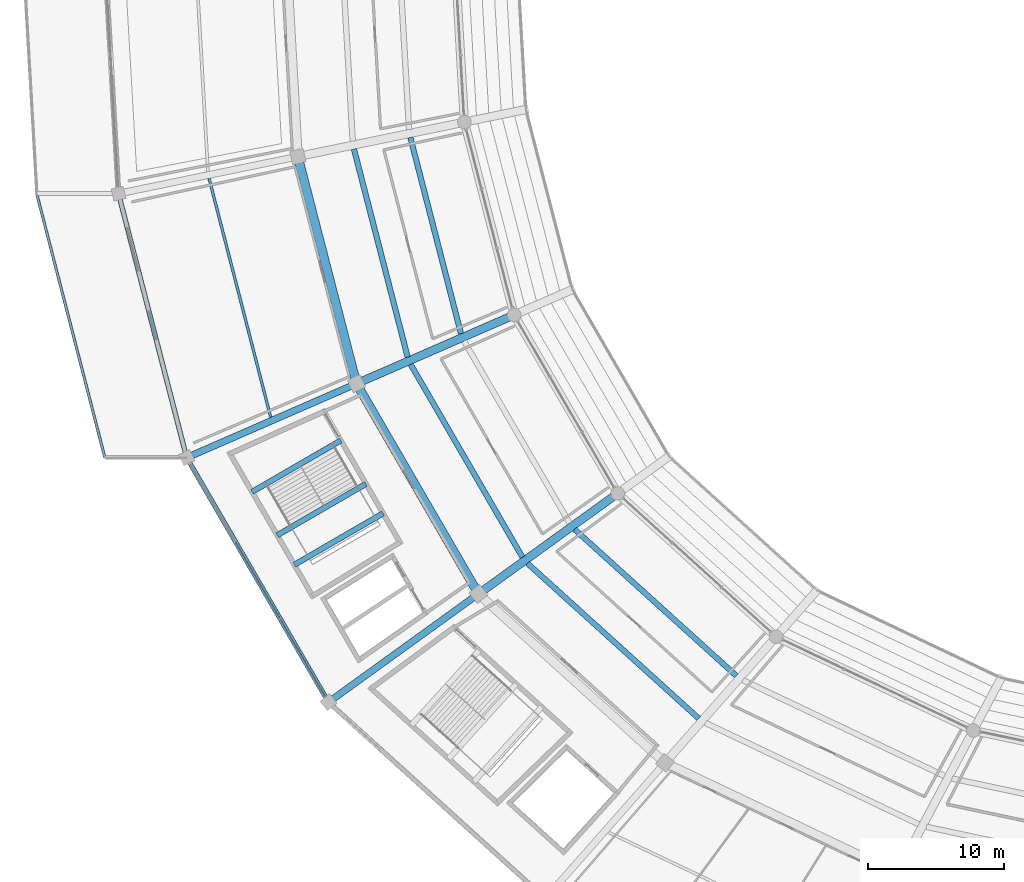
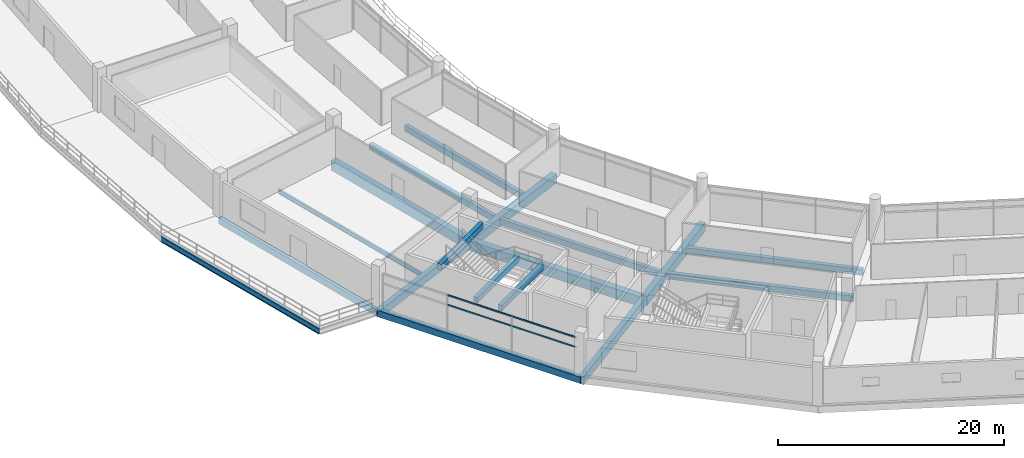
# One storey, part 8 of 171: 18 beams, 4 members, 1 element without a shape of its own.
"""IFC4 building model written with IfcOpenShell, lengths in metres."""

from ifc_helpers import new_model, si_unit, direction, frame, origin, origin_2d, place, context, subcontext, project, spatial, rectangle, hollow_rectangle, i_section, extrude, material, layer, layer_set, material_profile, profile_set, type_object, element, aggregate, save


model = new_model("IFC4")

# Units and contexts
model_context = context("Model", 3, precision=1e-05, world=origin(), true_north=direction((0.0, 1.0)))
body_context = subcontext(model_context, "Body", "Model", "MODEL_VIEW")
ifc_project = project(units=[si_unit("LENGTHUNIT", "METRE"), si_unit("AREAUNIT", "SQUARE_METRE"), si_unit("VOLUMEUNIT", "CUBIC_METRE"), si_unit("PLANEANGLEUNIT", "RADIAN"), si_unit("MASSUNIT", "GRAM", prefix="KILO")], contexts=[model_context])

# Site, building, storey
site_placement = place(None, origin())
site = spatial("IfcSite", under=ifc_project, at=site_placement, CompositionType="ELEMENT")
building_placement = place(site_placement, origin())
building = spatial("IfcBuilding", under=site, at=building_placement, Name="Kazemori Nagisa Stadium", CompositionType="ELEMENT")
storey_placement = place(building_placement, frame((0.0, 0.0, 15.639892578125)))
storey = spatial("IfcBuildingStorey", under=building, at=storey_placement, Name="L03", CompositionType="ELEMENT", Elevation=15.639892578125)

# Beams
ifc_material_1 = material(Name="Concrete C40/50 (Fc42)", Category="concrete")
ifc_material_profile_1 = material_profile(ifc_material_1, rectangle(XDim=0.39990234375, YDim=0.60009765625, at=origin_2d()), Name="RC-BM-400x600")
ifc_profile_set_1 = profile_set([ifc_material_profile_1], Name="Concrete C40/50 (Fc42)")
beam_type_1 = type_object("IfcBeamType", Name="Beam_BG-LND400X600", PredefinedType="BEAM", material=ifc_profile_set_1)
beam_1_placement = place(storey_placement, frame((47.251708984375, 61.33544921875, 1.880126953125), z_axis=(-0.865094639125, -0.501608677514, 0.0), x_axis=(0.501608677514, -0.865094639125, 0.0)))
element("IfcBeam", 1, at=beam_1_placement, inside=storey, type_object=beam_type_1, Name="Core stair mid-landing girder ST09-L03-1", PredefinedType="BEAM", context=body_context, shape_type="SweptSolid", body=[
    extrude(rectangle(XDim=0.39990234375, YDim=0.60009765625, at=origin_2d()), origin(), (0.0, 0.0, 1.0), 7.513916015625),
])
for number, where, z_axis, x_axis, name in (
    (2, (48.505615234375, 59.172607421875, 1.880126953125), (-0.865100563486, -0.501598459981, 0.0), (0.501598459981, -0.865100563486, 0.0), "Core stair mid-landing girder ST09-L03-2"),
    (3, (45.408203125, 64.5146484375, 4.16015625), (-0.865086463473, -0.50162277731, 0.0), (0.50162277731, -0.865086463473, 0.0), "Core stair arrival header girder ST09-L03"),
):
    element("IfcBeam", number, at=place(storey_placement, frame(where, z_axis=z_axis, x_axis=x_axis)), inside=storey, type_object=beam_type_1, Name=name, PredefinedType="BEAM", context=body_context, shape_type="SweptSolid", body=[
        extrude(rectangle(XDim=0.39990234375, YDim=0.60009765625, at=origin_2d()), origin(), (0.0, 0.0, 1.0), 7.513671875),
    ])
ifc_material_profile_2 = material_profile(ifc_material_1, rectangle(XDim=0.5, YDim=0.85009765625, at=origin_2d()), Name="RC-BM-500x850")
ifc_profile_set_2 = profile_set([ifc_material_profile_2], Name="Concrete C40/50 (Fc42)")
beam_type_2 = type_object("IfcBeamType", Name="Beam_BG-RC500X850", PredefinedType="BEAM", material=ifc_profile_set_2)
beam_2_placement = place(storey_placement, frame((46.55908203125, 68.67529296875, -0.684814453125), z_axis=(-0.916683633521, -0.399613708517, 0.0), x_axis=(0.399613708517, -0.916683633521, 0.0)))
element("IfcBeam", 4, at=beam_2_placement, inside=storey, type_object=beam_type_2, Name="Radial girder BG-RC500X850 L03 R2-R3-17", PredefinedType="BEAM", context=body_context, shape_type="SweptSolid", body=[
    extrude(rectangle(XDim=0.5, YDim=0.85009765625, at=origin_2d()), origin(), (0.0, 0.0, 1.0), 13.5751953125),
])
beam_3_placement = place(storey_placement, frame((55.493896484375, 53.265869140625, -0.684814453125), z_axis=(-0.810787509935, -0.585340596349, 0.0), x_axis=(0.585340596349, -0.810787509935, 0.0)))
element("IfcBeam", 5, at=beam_3_placement, inside=storey, type_object=beam_type_2, Name="Radial girder BG-RC500X850 L03 R2-R3-18", PredefinedType="BEAM", context=body_context, shape_type="SweptSolid", body=[
    extrude(rectangle(XDim=0.5, YDim=0.85009765625, at=origin_2d()), origin(), (0.0, 0.0, 1.0), 13.5537109375),
])
ifc_material_profile_3 = material_profile(ifc_material_1, rectangle(XDim=0.60009765625, YDim=0.949951171875, at=origin_2d()), Name="RC-BM-600x950")
ifc_profile_set_3 = profile_set([ifc_material_profile_3], Name="Concrete C40/50 (Fc42)")
beam_type_3 = type_object("IfcBeamType", Name="Beam_BG-RC600X950", PredefinedType="BEAM", material=ifc_profile_set_3)
beam_4_placement = place(storey_placement, frame((58.114013671875, 73.712890625, -0.73486328125), z_axis=(-0.916671768981, -0.399640923771, 0.0), x_axis=(0.399640923771, -0.916671768981, 0.0)))
element("IfcBeam", 6, at=beam_4_placement, inside=storey, type_object=beam_type_3, Name="Radial girder BG-RC600X950 L03 R1-R2-17", PredefinedType="BEAM", context=body_context, shape_type="SweptSolid", body=[
    extrude(rectangle(XDim=0.60009765625, YDim=0.949951171875, at=origin_2d()), origin(), (0.0, 0.0, 1.0), 12.605224609375),
])
beam_5_placement = place(storey_placement, frame((65.698486328125, 60.632568359375, -0.73486328125), z_axis=(-0.810802996314, -0.585319144714, 0.0), x_axis=(0.585319144714, -0.810802996314, 0.0)))
element("IfcBeam", 7, at=beam_5_placement, inside=storey, type_object=beam_type_3, Name="Radial girder BG-RC600X950 L03 R1-R2-18", PredefinedType="BEAM", context=body_context, shape_type="SweptSolid", body=[
    extrude(rectangle(XDim=0.60009765625, YDim=0.949951171875, at=origin_2d()), origin(), (0.0, 0.0, 1.0), 12.585693359375),
])
ifc_material_profile_4 = material_profile(ifc_material_1, rectangle(XDim=0.64990234375, YDim=1.050048828125, at=origin_2d()), Name="RC-BM-650x1050")
ifc_profile_set_4 = profile_set([ifc_material_profile_4], Name="Concrete C40/50 (Fc42)")
beam_type_4 = type_object("IfcBeamType", Name="Beam_BG-RC650X1050", PredefinedType="BEAM", material=ifc_profile_set_4)
beam_6_placement = place(storey_placement, frame((42.262451171875, 85.31787109375, -0.784912109375), z_axis=(0.249974673676, -0.968252375427, 0.0), x_axis=(0.968252375427, 0.249974673676, 0.0)))
element("IfcBeam", 8, at=beam_6_placement, inside=storey, type_object=beam_type_4, Name="Ring girder BG-RC650X1050 L03 R2-16", PredefinedType="BEAM", context=body_context, shape_type="SweptSolid", body=[
    extrude(rectangle(XDim=0.64990234375, YDim=1.050048828125, at=origin_2d()), origin(), (0.0, 0.0, 1.0), 17.188232421875),
])
beam_7_placement = place(storey_placement, frame((46.55908203125, 68.67529296875, -0.784912109375), z_axis=(0.501606704589, -0.865095783085, 0.0), x_axis=(0.865095783085, 0.501606704589, 0.0)))
element("IfcBeam", 9, at=beam_7_placement, inside=storey, type_object=beam_type_4, Name="Ring girder BG-RC650X1050 L03 R2-17", PredefinedType="BEAM", context=body_context, shape_type="SweptSolid", body=[
    extrude(rectangle(XDim=0.64990234375, YDim=1.050048828125, at=origin_2d()), origin(), (0.0, 0.0, 1.0), 17.8125),
])
ifc_material_2 = material(Name="Steel SN490B", Category="steel")
ifc_material_profile_5 = material_profile(ifc_material_2, i_section(OverallWidth=0.199951171875, OverallDepth=0.449951171875, WebThickness=0.009033203125, FlangeThickness=0.013916015625, FilletRadius=0.012939453125, at=origin_2d()), Name="H-450x200x9x14")
ifc_profile_set_5 = profile_set([ifc_material_profile_5], Name="Steel SN490B")
beam_type_5 = type_object("IfcBeamType", Name="Beam_BJ-H450", PredefinedType="JOIST", material=ifc_profile_set_5)
beam_8_placement = place(storey_placement, frame((35.752197265625, 83.722900390625, -0.48486328125), z_axis=(0.249965739243, -0.968254681995, 0.0), x_axis=(0.968254681995, 0.249965739243, 0.0)))
element("IfcBeam", 10, at=beam_8_placement, inside=storey, type_object=beam_type_5, Name="Outer bay joist BJ-H450 L03 B16", PredefinedType="JOIST", context=body_context, shape_type="SweptSolid", body=[
    extrude(i_section(OverallWidth=0.199951171875, OverallDepth=0.449951171875, WebThickness=0.009033203125, FlangeThickness=0.013916015625, FilletRadius=0.012939453125, at=origin_2d()), origin(), (0.0, 0.0, 1.0), 18.09716796875),
])
ifc_material_profile_6 = material_profile(ifc_material_1, rectangle(XDim=0.39990234375, YDim=0.64990234375, at=origin_2d()), Name="RC-BM-400x650")
ifc_profile_set_6 = profile_set([ifc_material_profile_6], Name="Concrete C40/50 (Fc42)")
beam_type_6 = type_object("IfcBeamType", Name="Beam_BJ-RC400X650", PredefinedType="JOIST", material=ifc_profile_set_6)
beam_9_placement = place(storey_placement, frame((50.50390625, 86.719970703125, -0.5849609375), z_axis=(0.24996646764, -0.968254493951, 0.0), x_axis=(0.968254493951, 0.24996646764, 0.0)))
element("IfcBeam", 11, at=beam_9_placement, inside=storey, type_object=beam_type_6, Name="Concourse joist BJ-RC400X650 L03 B16-1", PredefinedType="JOIST", context=body_context, shape_type="SweptSolid", body=[
    extrude(rectangle(XDim=0.39990234375, YDim=0.64990234375, at=origin_2d()), origin(), (0.0, 0.0, 1.0), 14.859375),
])
beam_10_placement = place(storey_placement, frame((46.373046875, 85.866455078125, -0.5849609375), z_axis=(0.24997419154, -0.968252499901, 0.0), x_axis=(0.968252499901, 0.24997419154, 0.0)))
element("IfcBeam", 12, at=beam_10_placement, inside=storey, type_object=beam_type_6, Name="Concourse joist BJ-RC400X650 L03 B16-2", PredefinedType="JOIST", context=body_context, shape_type="SweptSolid", body=[
    extrude(rectangle(XDim=0.39990234375, YDim=0.64990234375, at=origin_2d()), origin(), (0.0, 0.0, 1.0), 15.739013671875),
])
beam_11_placement = place(storey_placement, frame((50.529052734375, 70.08642578125, -0.5849609375), z_axis=(0.501604213872, -0.865097227268, 0.0), x_axis=(0.865097227268, 0.501604213872, 0.0)))
element("IfcBeam", 13, at=beam_11_placement, inside=storey, type_object=beam_type_6, Name="Concourse joist BJ-RC400X650 L03 B17-2", PredefinedType="JOIST", context=body_context, shape_type="SweptSolid", body=[
    extrude(rectangle(XDim=0.39990234375, YDim=0.64990234375, at=origin_2d()), origin(), (0.0, 0.0, 1.0), 16.331787109375),
])
beam_12_placement = place(storey_placement, frame((62.541748046875, 57.998046875, -0.5849609375), z_axis=(0.741344716793, -0.671124437704, 0.0), x_axis=(0.671124437704, 0.741344716793, 0.0)))
element("IfcBeam", 14, at=beam_12_placement, inside=storey, type_object=beam_type_6, Name="Concourse joist BJ-RC400X650 L03 B18-1", PredefinedType="JOIST", context=body_context, shape_type="SweptSolid", body=[
    extrude(rectangle(XDim=0.39990234375, YDim=0.64990234375, at=origin_2d()), origin(), (0.0, 0.0, 1.0), 15.986328125),
])
beam_13_placement = place(storey_placement, frame((59.087890625, 55.504638671875, -0.5849609375), z_axis=(0.741349213887, -0.671119470041, 0.0), x_axis=(0.671119470041, 0.741349213887, 0.0)))
element("IfcBeam", 15, at=beam_13_placement, inside=storey, type_object=beam_type_6, Name="Concourse joist BJ-RC400X650 L03 B18-2", PredefinedType="JOIST", context=body_context, shape_type="SweptSolid", body=[
    extrude(rectangle(XDim=0.39990234375, YDim=0.64990234375, at=origin_2d()), origin(), (0.0, 0.0, 1.0), 16.9296875),
])
ifc_material_profile_7 = material_profile(ifc_material_2, i_section(OverallWidth=0.199951171875, OverallDepth=0.60009765625, WebThickness=0.010986328125, FlangeThickness=0.01708984375, FilletRadius=0.012939453125, at=origin_2d()), Name="H-600x200x11x17")
ifc_profile_set_7 = profile_set([ifc_material_profile_7], Name="Steel SN490B")
beam_type_7 = type_object("IfcBeamType", Name="Beam_BS-H600", PredefinedType="SPANDREL", material=ifc_profile_set_7)
beam_14_placement = place(storey_placement, frame((23.119140625, 82.602294921875, -0.533935546875), z_axis=(0.249964097999, -0.968255105699, 0.0), x_axis=(0.968255105699, 0.249964097999, 0.0)))
element("IfcBeam", 16, at=beam_14_placement, inside=storey, type_object=beam_type_7, Name="Boulevard edge beam BS-H600 L03 R4-16", PredefinedType="SPANDREL", context=body_context, shape_type="SweptSolid", body=[
    extrude(i_section(OverallWidth=0.199951171875, OverallDepth=0.60009765625, WebThickness=0.010986328125, FlangeThickness=0.01708984375, FilletRadius=0.012939453125, at=origin_2d()), origin(), (0.0, 0.0, 1.0), 19.986328125),
])
ifc_material_profile_8 = material_profile(ifc_material_1, rectangle(XDim=0.35009765625, YDim=0.699951171875, at=origin_2d()), Name="RC-SP-350x700")
ifc_profile_set_8 = profile_set([ifc_material_profile_8], Name="Concrete C40/50 (Fc42)")
beam_type_8 = type_object("IfcBeamType", Name="Beam_BS-RC350X700", PredefinedType="SPANDREL", material=ifc_profile_set_8)
beam_15_placement = place(storey_placement, frame((29.119140625, 82.602294921875, -0.60986328125), z_axis=(0.249964097999, -0.968255105699, 0.0), x_axis=(0.968255105699, 0.249964097999, 0.0)))
element("IfcBeam", 17, at=beam_15_placement, inside=storey, type_object=beam_type_8, Name="Ring girder BS-RC350X700 L03 R3-16", PredefinedType="SPANDREL", context=body_context, shape_type="SweptSolid", body=[
    extrude(rectangle(XDim=0.35009765625, YDim=0.699951171875, at=origin_2d()), origin(), (0.0, 0.0, 1.0), 19.986328125),
])
beam_16_placement = place(storey_placement, frame((34.114990234375, 63.25048828125, -0.60986328125), z_axis=(0.50161277459, -0.8650922635, 0.0), x_axis=(0.8650922635, 0.50161277459, 0.0)))
element("IfcBeam", 18, at=beam_16_placement, inside=storey, type_object=beam_type_8, Name="Ring girder BS-RC350X700 L03 R3-17", PredefinedType="SPANDREL", context=body_context, shape_type="SweptSolid", body=[
    extrude(rectangle(XDim=0.35009765625, YDim=0.699951171875, at=origin_2d()), origin(), (0.0, 0.0, 1.0), 20.71240234375),
])

# Curtain wall, members
ifc_material_3 = material(Name="Anodised aluminium 6063-T5", Category="aluminium")
ifc_layer = layer(ifc_material_3, 0.2099609375, Name="Anodised aluminium 6063-T5", Category="aluminium")
ifc_layer_set = layer_set([ifc_layer], Name="Anodised aluminium 6063-T5")
curtain_wall_type = type_object("IfcCurtainWallType", Name="CW_L03R3_99", PredefinedType="USERDEFINED", material=ifc_layer_set)
curtain_wall_placement = place(storey_placement, origin())
curtain_wall = element("IfcCurtainWall", 19, at=curtain_wall_placement, inside=storey, type_object=curtain_wall_type, Name="Unitised curtain wall CW-L03R3-99 L03", ObjectType="UNITISED CURTAIN WALL", PredefinedType="USERDEFINED")
ifc_material_4 = material(Name="Aluminium 6063-T5 anodised", Category="aluminium")
ifc_material_profile_9 = material_profile(ifc_material_4, hollow_rectangle(XDim=0.080078125, YDim=0.159912109375, WallThickness=0.00390625, at=origin_2d()), Name="ALU-TRAN-80x160x4")
ifc_profile_set_9 = profile_set([ifc_material_profile_9], Name="Aluminium 6063-T5 anodised")
member_type = type_object("IfcMemberType", Name="Transom_T02", PredefinedType="USERDEFINED", material=ifc_profile_set_9)
member_1_placement = place(storey_placement, frame((37.667724609375, 57.12353515625, 2.705322265625), z_axis=(0.501590295943, -0.865105297069, 0.0), x_axis=(0.865105297069, 0.501590295943, 0.0)))
member_1 = element("IfcMember", 20, at=member_1_placement, type_object=member_type, Name="Curtain wall transom CW-L03R3-99-T2-mid", ObjectType="TRANSOM", PredefinedType="USERDEFINED", context=body_context, shape_type="SweptSolid", body=[
    extrude(hollow_rectangle(XDim=0.080078125, YDim=0.159912109375, WallThickness=0.00390625, at=origin_2d()), origin(), (0.0, 0.0, 1.0), 6.547607421875),
])
member_2_placement = place(storey_placement, frame((37.667724609375, 57.12353515625, 3.739990234375), z_axis=(0.501590295943, -0.865105297069, 0.0), x_axis=(0.865105297069, 0.501590295943, 0.0)))
member_2 = element("IfcMember", 21, at=member_2_placement, type_object=member_type, Name="Curtain wall transom CW-L03R3-99-T2-head", ObjectType="TRANSOM", PredefinedType="USERDEFINED", context=body_context, shape_type="SweptSolid", body=[
    extrude(hollow_rectangle(XDim=0.080078125, YDim=0.159912109375, WallThickness=0.00390625, at=origin_2d()), origin(), (0.0, 0.0, 1.0), 6.547607421875),
])
member_3_placement = place(storey_placement, frame((40.97216796875, 51.4248046875, 2.705322265625), z_axis=(0.501590295943, -0.865105297069, 0.0), x_axis=(0.865105297069, 0.501590295943, 0.0)))
member_3 = element("IfcMember", 22, at=member_3_placement, type_object=member_type, Name="Curtain wall transom CW-L03R3-99-T3-mid", ObjectType="TRANSOM", PredefinedType="USERDEFINED", context=body_context, shape_type="SweptSolid", body=[
    extrude(hollow_rectangle(XDim=0.080078125, YDim=0.159912109375, WallThickness=0.00390625, at=origin_2d()), origin(), (0.0, 0.0, 1.0), 6.547607421875),
])
member_4_placement = place(storey_placement, frame((40.97216796875, 51.4248046875, 3.739990234375), z_axis=(0.501590295943, -0.865105297069, 0.0), x_axis=(0.865105297069, 0.501590295943, 0.0)))
member_4 = element("IfcMember", 23, at=member_4_placement, type_object=member_type, Name="Curtain wall transom CW-L03R3-99-T3-head", ObjectType="TRANSOM", PredefinedType="USERDEFINED", context=body_context, shape_type="SweptSolid", body=[
    extrude(hollow_rectangle(XDim=0.080078125, YDim=0.159912109375, WallThickness=0.00390625, at=origin_2d()), origin(), (0.0, 0.0, 1.0), 6.547607421875),
])
aggregate(curtain_wall, [member_1, member_2, member_3, member_4])

save(model, "model.ifc")
